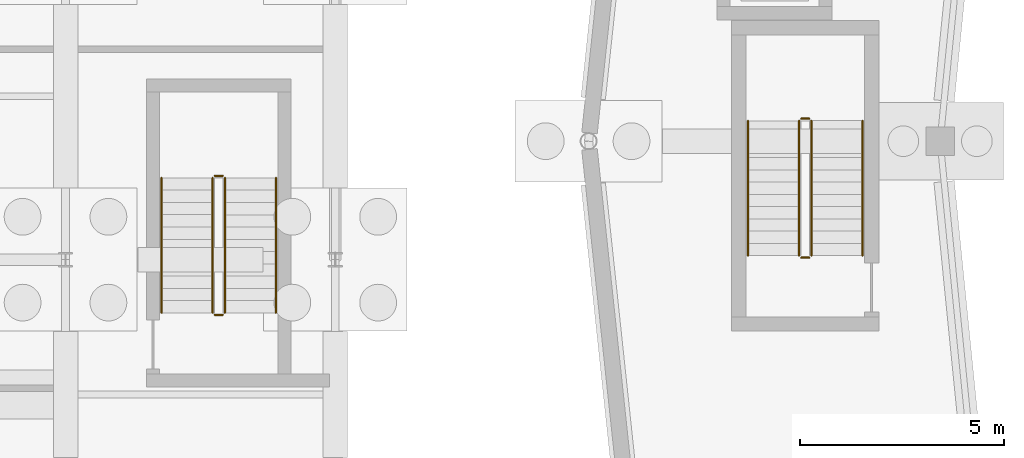
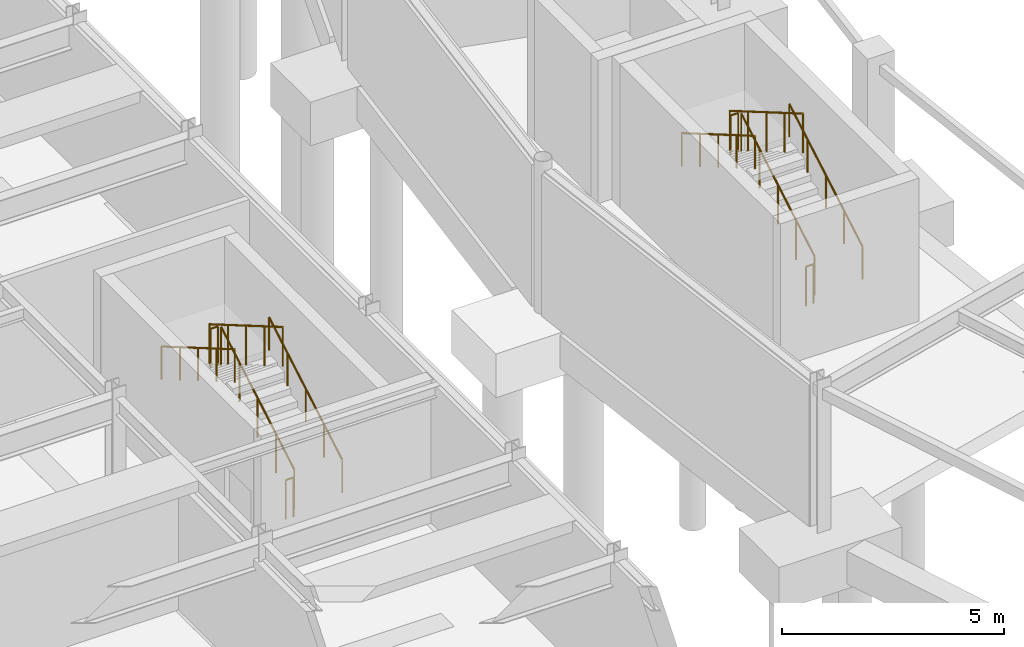
# One storey, part 52 of 58: 12 railings.
"""IFC4 building model written with IfcOpenShell, lengths in metres."""

from ifc_helpers import new_model, si_unit, direction, frame, origin, origin_2d, place, context, subcontext, project, spatial, circle, extrude, material, type_object, element, save


model = new_model("IFC4")

# Units and contexts
model_context = context("Model", 3, precision=1e-05, world=origin(), true_north=direction((0.0, 1.0)))
body_context = subcontext(model_context, "Body", "Model", "MODEL_VIEW")
ifc_project = project(units=[si_unit("LENGTHUNIT", "METRE"), si_unit("AREAUNIT", "SQUARE_METRE"), si_unit("VOLUMEUNIT", "CUBIC_METRE"), si_unit("PLANEANGLEUNIT", "RADIAN"), si_unit("MASSUNIT", "GRAM", prefix="KILO")], contexts=[model_context])

# Site, building, storey
site_placement = place(None, origin())
site = spatial("IfcSite", under=ifc_project, at=site_placement, CompositionType="ELEMENT")
building_placement = place(site_placement, origin())
building = spatial("IfcBuilding", under=site, at=building_placement, Name="Karori Crest Natural Sciences Institute", CompositionType="ELEMENT")
storey_placement = place(building_placement, frame((0.0, 0.0, -4.199951171875)))
storey = spatial("IfcBuildingStorey", under=building, at=storey_placement, Name="B1", CompositionType="ELEMENT", Elevation=-4.199951171875)

# Railings
ifc_material_1 = material(Name="Stainless steel 316 tubular handrail", Category="steel")
railing_type_1 = type_object("IfcRailingType", Name="RLT-HND", PredefinedType="HANDRAIL", material=ifc_material_1)
railing_1_placement = place(storey_placement, frame((40.10009765625, 47.10009765625, 0.175048828125)))
element("IfcRailing", 1, at=railing_1_placement, inside=storey, type_object=railing_type_1, Name="Stair handrail RL-0054", PredefinedType="HANDRAIL", context=body_context, shape_type="SweptSolid", body=[
    extrude(circle(Radius=0.02392578125, at=origin_2d()), frame((0.0, 0.0, 0.90087890625), z_axis=(0.0, 0.863788172461, 0.503855131081), x_axis=(-1.0, 0.0, 0.0)), (0.0, 0.0, 1.0), 3.820068359375),
    extrude(circle(Radius=0.02099609375, at=origin_2d()), origin(), (0.0, 0.0, 1.0), 0.876953125),
    extrude(circle(Radius=0.02099609375, at=origin_2d()), frame((0.0, 0.824951171875, 0.481201171875)), (0.0, 0.0, 1.0), 0.876953125),
    extrude(circle(Radius=0.02099609375, at=origin_2d()), frame((0.0, 1.64990234375, 0.96240234375)), (0.0, 0.0, 1.0), 0.876953125),
    extrude(circle(Radius=0.02099609375, at=origin_2d()), frame((0.0, 2.474853515625, 1.443603515625)), (0.0, 0.0, 1.0), 0.876953125),
    extrude(circle(Radius=0.02099609375, at=origin_2d()), frame((0.0, 3.2998046875, 1.9248046875)), (0.0, 0.0, 1.0), 0.876953125),
])
railing_2_placement = place(storey_placement, frame((37.300048828125, 50.39990234375, 2.27490234375)))
element("IfcRailing", 2, at=railing_2_placement, inside=storey, type_object=railing_type_1, Name="Stair handrail RL-0055", PredefinedType="HANDRAIL", context=body_context, shape_type="SweptSolid", body=[
    extrude(circle(Radius=0.02392578125, at=origin_2d()), frame((0.0, 0.0, 0.90087890625), z_axis=(0.0, -0.863760357493, 0.503902812876), x_axis=(1.0, 0.0, 0.0)), (0.0, 0.0, 1.0), 3.8203125),
    extrude(circle(Radius=0.02099609375, at=origin_2d()), origin(), (0.0, 0.0, 1.0), 0.876953125),
    extrude(circle(Radius=0.02099609375, at=origin_2d()), frame((0.0, -0.824951171875, 0.481201171875)), (0.0, 0.0, 1.0), 0.876953125),
    extrude(circle(Radius=0.02099609375, at=origin_2d()), frame((0.0, -1.64990234375, 0.96240234375)), (0.0, 0.0, 1.0), 0.876953125),
    extrude(circle(Radius=0.02099609375, at=origin_2d()), frame((0.0, -2.474853515625, 1.44384765625)), (0.0, 0.0, 1.0), 0.876953125),
    extrude(circle(Radius=0.02099609375, at=origin_2d()), frame((0.0, -3.2998046875, 1.925048828125)), (0.0, 0.0, 1.0), 0.876953125),
])
railing_3_placement = place(storey_placement, frame((25.75, 45.699951171875, 0.175048828125)))
element("IfcRailing", 3, at=railing_3_placement, inside=storey, type_object=railing_type_1, Name="Stair handrail RL-0342", PredefinedType="HANDRAIL", context=body_context, shape_type="SweptSolid", body=[
    extrude(circle(Radius=0.02392578125, at=origin_2d()), frame((0.0, 0.0, 0.90087890625), z_axis=(0.0, 0.863804395585, 0.503827317807), x_axis=(-1.0, 0.0, 0.0)), (0.0, 0.0, 1.0), 3.8203125),
    extrude(circle(Radius=0.02099609375, at=origin_2d()), origin(), (0.0, 0.0, 1.0), 0.876953125),
    extrude(circle(Radius=0.02099609375, at=origin_2d()), frame((0.0, 0.824951171875, 0.481201171875)), (0.0, 0.0, 1.0), 0.876953125),
    extrude(circle(Radius=0.02099609375, at=origin_2d()), frame((0.0, 1.64990234375, 0.96240234375)), (0.0, 0.0, 1.0), 0.876953125),
    extrude(circle(Radius=0.02099609375, at=origin_2d()), frame((0.0, 2.47509765625, 1.443603515625)), (0.0, 0.0, 1.0), 0.876953125),
    extrude(circle(Radius=0.02099609375, at=origin_2d()), frame((0.0, 3.300048828125, 1.9248046875)), (0.0, 0.0, 1.0), 0.876953125),
])
railing_4_placement = place(storey_placement, frame((22.949951171875, 49.0, 2.27490234375)))
element("IfcRailing", 4, at=railing_4_placement, inside=storey, type_object=railing_type_1, Name="Stair handrail RL-0343", PredefinedType="HANDRAIL", context=body_context, shape_type="SweptSolid", body=[
    extrude(circle(Radius=0.02392578125, at=origin_2d()), frame((0.0, 0.0, 0.90087890625), z_axis=(0.0, -0.863776583165, 0.503874998761), x_axis=(1.0, 0.0, 0.0)), (0.0, 0.0, 1.0), 3.820556640625),
    extrude(circle(Radius=0.02099609375, at=origin_2d()), origin(), (0.0, 0.0, 1.0), 0.876953125),
    extrude(circle(Radius=0.02099609375, at=origin_2d()), frame((0.0, -0.824951171875, 0.481201171875)), (0.0, 0.0, 1.0), 0.876953125),
    extrude(circle(Radius=0.02099609375, at=origin_2d()), frame((0.0, -1.64990234375, 0.96240234375)), (0.0, 0.0, 1.0), 0.876953125),
    extrude(circle(Radius=0.02099609375, at=origin_2d()), frame((0.0, -2.47509765625, 1.44384765625)), (0.0, 0.0, 1.0), 0.876953125),
    extrude(circle(Radius=0.02099609375, at=origin_2d()), frame((0.0, -3.300048828125, 1.925048828125)), (0.0, 0.0, 1.0), 0.876953125),
])
ifc_material_2 = material(Name="Stainless steel 316 stair guard", Category="steel")
railing_type_2 = type_object("IfcRailingType", Name="RLT-STG", PredefinedType="GUARDRAIL", material=ifc_material_2)
railing_5_placement = place(storey_placement, frame((38.85009765625, 47.10009765625, 0.175048828125)))
element("IfcRailing", 5, at=railing_5_placement, inside=storey, type_object=railing_type_2, Name="Stair guard RL-0050", PredefinedType="GUARDRAIL", context=body_context, shape_type="SweptSolid", body=[
    extrude(circle(Radius=0.02392578125, at=origin_2d()), frame((0.0, 0.0, 1.076171875), z_axis=(0.0, 0.863788172461, 0.503855131081), x_axis=(-1.0, 0.0, 0.0)), (0.0, 0.0, 1.0), 3.820068359375),
    extrude(circle(Radius=0.02099609375, at=origin_2d()), origin(), (0.0, 0.0, 1.0), 1.052001953125),
    extrude(circle(Radius=0.02099609375, at=origin_2d()), frame((0.0, 0.824951171875, 0.481201171875)), (0.0, 0.0, 1.0), 1.052001953125),
    extrude(circle(Radius=0.02099609375, at=origin_2d()), frame((0.0, 1.64990234375, 0.96240234375)), (0.0, 0.0, 1.0), 1.052001953125),
    extrude(circle(Radius=0.02099609375, at=origin_2d()), frame((0.0, 2.474853515625, 1.443603515625)), (0.0, 0.0, 1.0), 1.052001953125),
    extrude(circle(Radius=0.02099609375, at=origin_2d()), frame((0.0, 3.2998046875, 1.9248046875)), (0.0, 0.0, 1.0), 1.052001953125),
])
railing_6_placement = place(storey_placement, frame((38.800048828125, 50.449951171875, 2.099853515625)))
element("IfcRailing", 6, at=railing_6_placement, inside=storey, type_object=railing_type_2, Name="Stair guard RL-0051", PredefinedType="GUARDRAIL", context=body_context, shape_type="SweptSolid", body=[
    extrude(circle(Radius=0.02392578125, at=origin_2d()), frame((0.0, 0.0, 1.076171875), z_axis=(-1.0, 0.0, 0.0), x_axis=(0.0, -1.0, 0.0)), (0.0, 0.0, 1.0), 0.199951171875),
    extrude(circle(Radius=0.02099609375, at=origin_2d()), origin(), (0.0, 0.0, 1.0), 1.052001953125),
    extrude(circle(Radius=0.02099609375, at=origin_2d()), frame((-0.199951171875, 0.0, 0.0)), (0.0, 0.0, 1.0), 1.052001953125),
])
railing_7_placement = place(storey_placement, frame((38.550048828125, 50.39990234375, 2.27490234375)))
element("IfcRailing", 7, at=railing_7_placement, inside=storey, type_object=railing_type_2, Name="Stair guard RL-0052", PredefinedType="GUARDRAIL", context=body_context, shape_type="SweptSolid", body=[
    extrude(circle(Radius=0.02392578125, at=origin_2d()), frame((0.0, 0.0, 1.076171875), z_axis=(0.0, -0.863760357493, 0.503902812876), x_axis=(1.0, 0.0, 0.0)), (0.0, 0.0, 1.0), 3.8203125),
    extrude(circle(Radius=0.02099609375, at=origin_2d()), origin(), (0.0, 0.0, 1.0), 1.052001953125),
    extrude(circle(Radius=0.02099609375, at=origin_2d()), frame((0.0, -0.824951171875, 0.481201171875)), (0.0, 0.0, 1.0), 1.052001953125),
    extrude(circle(Radius=0.02099609375, at=origin_2d()), frame((0.0, -1.64990234375, 0.96240234375)), (0.0, 0.0, 1.0), 1.052001953125),
    extrude(circle(Radius=0.02099609375, at=origin_2d()), frame((0.0, -2.474853515625, 1.44384765625)), (0.0, 0.0, 1.0), 1.052001953125),
    extrude(circle(Radius=0.02099609375, at=origin_2d()), frame((0.0, -3.2998046875, 1.925048828125)), (0.0, 0.0, 1.0), 1.052001953125),
])
railing_8_placement = place(storey_placement, frame((38.800048828125, 47.050048828125, 0.0)))
element("IfcRailing", 8, at=railing_8_placement, inside=storey, type_object=railing_type_2, Name="Stair guard RL-0053", PredefinedType="GUARDRAIL", context=body_context, shape_type="SweptSolid", body=[
    extrude(circle(Radius=0.02392578125, at=origin_2d()), frame((0.0, 0.0, 1.076171875), z_axis=(-1.0, 0.0, 0.0), x_axis=(0.0, -1.0, 0.0)), (0.0, 0.0, 1.0), 0.199951171875),
    extrude(circle(Radius=0.02099609375, at=origin_2d()), origin(), (0.0, 0.0, 1.0), 1.052001953125),
    extrude(circle(Radius=0.02099609375, at=origin_2d()), frame((-0.199951171875, 0.0, 0.0)), (0.0, 0.0, 1.0), 1.052001953125),
])
railing_9_placement = place(storey_placement, frame((24.5, 45.699951171875, 0.175048828125)))
element("IfcRailing", 9, at=railing_9_placement, inside=storey, type_object=railing_type_2, Name="Stair guard RL-0338", PredefinedType="GUARDRAIL", context=body_context, shape_type="SweptSolid", body=[
    extrude(circle(Radius=0.02392578125, at=origin_2d()), frame((0.0, 0.0, 1.076171875), z_axis=(0.0, 0.863804395585, 0.503827317807), x_axis=(-1.0, 0.0, 0.0)), (0.0, 0.0, 1.0), 3.8203125),
    extrude(circle(Radius=0.02099609375, at=origin_2d()), origin(), (0.0, 0.0, 1.0), 1.052001953125),
    extrude(circle(Radius=0.02099609375, at=origin_2d()), frame((0.0, 0.824951171875, 0.481201171875)), (0.0, 0.0, 1.0), 1.052001953125),
    extrude(circle(Radius=0.02099609375, at=origin_2d()), frame((0.0, 1.64990234375, 0.96240234375)), (0.0, 0.0, 1.0), 1.052001953125),
    extrude(circle(Radius=0.02099609375, at=origin_2d()), frame((0.0, 2.47509765625, 1.443603515625)), (0.0, 0.0, 1.0), 1.052001953125),
    extrude(circle(Radius=0.02099609375, at=origin_2d()), frame((0.0, 3.300048828125, 1.9248046875)), (0.0, 0.0, 1.0), 1.052001953125),
])
railing_10_placement = place(storey_placement, frame((24.449951171875, 49.050048828125, 2.099853515625)))
element("IfcRailing", 10, at=railing_10_placement, inside=storey, type_object=railing_type_2, Name="Stair guard RL-0339", PredefinedType="GUARDRAIL", context=body_context, shape_type="SweptSolid", body=[
    extrude(circle(Radius=0.02392578125, at=origin_2d()), frame((0.0, 0.0, 1.076171875), z_axis=(-1.0, 0.0, 0.0), x_axis=(0.0, -1.0, 0.0)), (0.0, 0.0, 1.0), 0.199951171875),
    extrude(circle(Radius=0.02099609375, at=origin_2d()), origin(), (0.0, 0.0, 1.0), 1.052001953125),
    extrude(circle(Radius=0.02099609375, at=origin_2d()), frame((-0.199951171875, 0.0, 0.0)), (0.0, 0.0, 1.0), 1.052001953125),
])
railing_11_placement = place(storey_placement, frame((24.199951171875, 49.0, 2.27490234375)))
element("IfcRailing", 11, at=railing_11_placement, inside=storey, type_object=railing_type_2, Name="Stair guard RL-0340", PredefinedType="GUARDRAIL", context=body_context, shape_type="SweptSolid", body=[
    extrude(circle(Radius=0.02392578125, at=origin_2d()), frame((0.0, 0.0, 1.076171875), z_axis=(0.0, -0.863776583165, 0.503874998761), x_axis=(1.0, 0.0, 0.0)), (0.0, 0.0, 1.0), 3.820556640625),
    extrude(circle(Radius=0.02099609375, at=origin_2d()), origin(), (0.0, 0.0, 1.0), 1.052001953125),
    extrude(circle(Radius=0.02099609375, at=origin_2d()), frame((0.0, -0.824951171875, 0.481201171875)), (0.0, 0.0, 1.0), 1.052001953125),
    extrude(circle(Radius=0.02099609375, at=origin_2d()), frame((0.0, -1.64990234375, 0.96240234375)), (0.0, 0.0, 1.0), 1.052001953125),
    extrude(circle(Radius=0.02099609375, at=origin_2d()), frame((0.0, -2.47509765625, 1.44384765625)), (0.0, 0.0, 1.0), 1.052001953125),
    extrude(circle(Radius=0.02099609375, at=origin_2d()), frame((0.0, -3.300048828125, 1.925048828125)), (0.0, 0.0, 1.0), 1.052001953125),
])
railing_12_placement = place(storey_placement, frame((24.449951171875, 45.64990234375, 0.0)))
element("IfcRailing", 12, at=railing_12_placement, inside=storey, type_object=railing_type_2, Name="Stair guard RL-0341", PredefinedType="GUARDRAIL", context=body_context, shape_type="SweptSolid", body=[
    extrude(circle(Radius=0.02392578125, at=origin_2d()), frame((0.0, 0.0, 1.076171875), z_axis=(-1.0, 0.0, 0.0), x_axis=(0.0, -1.0, 0.0)), (0.0, 0.0, 1.0), 0.199951171875),
    extrude(circle(Radius=0.02099609375, at=origin_2d()), origin(), (0.0, 0.0, 1.0), 1.052001953125),
    extrude(circle(Radius=0.02099609375, at=origin_2d()), frame((-0.199951171875, 0.0, 0.0)), (0.0, 0.0, 1.0), 1.052001953125),
])

save(model, "model.ifc")
